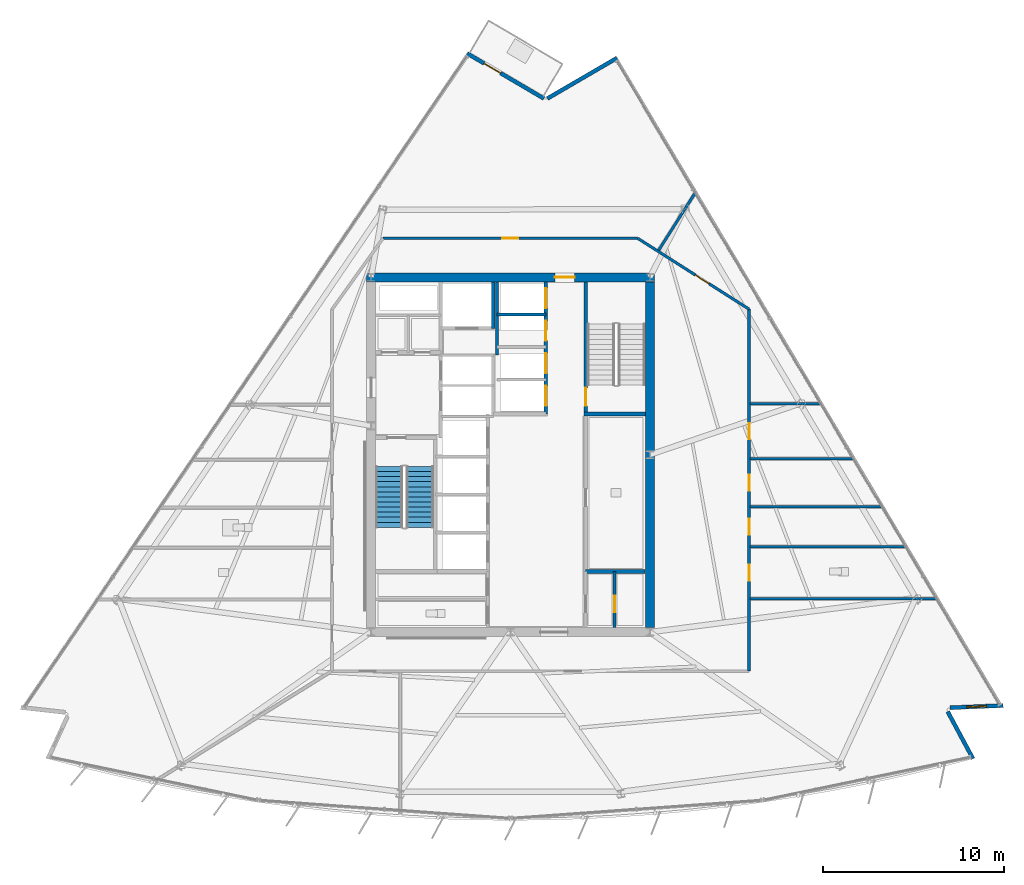
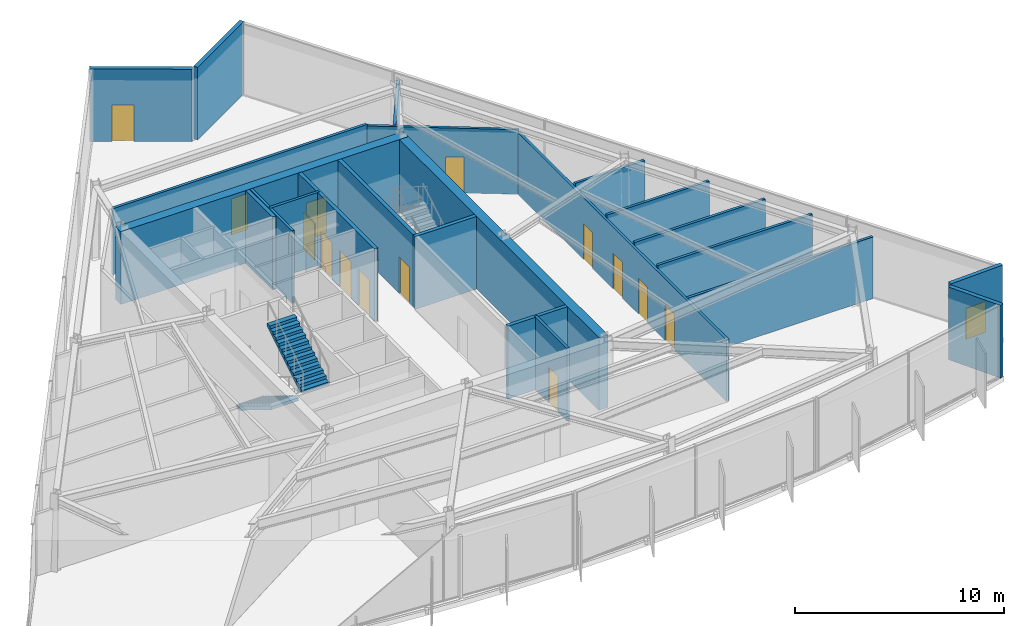
# One storey, part 8 of 14: 23 walls, 14 doors, 2 stair flights, 1 window, 15 openings, 1 element without a shape of its own.
"""IFC4 building model written with IfcOpenShell, lengths in metres."""

import ifcopenshell
import ifcopenshell.guid

model = None  # the IFC model being written
_history = None  # IfcOwnerHistory: only IFC2X3 demands one
_inside = {}  # id of a spatial element -> (the spatial element, [elements in it])
_under = {}  # id of a project, library or spatial element -> (it, [spatial elements below it])
_declared = {}  # id of a project -> (the project, [libraries it declares])
_typed = {}  # id of a type object -> (the type object, [elements of that type])
_made_of = {}  # id of a material, layer set ... -> (it, [elements and type objects made of it])


def new_model(schema):
    """Start an empty IFC model of exactly this schema.

    Asked for "IFC4X3", IfcOpenShell would pick the latest addendum, in which some entities
    have other attributes; the version numbers below select the first issue.
    IFC2X3 requires an IfcOwnerHistory on every rooted entity: one is made here for all.
    """
    global model, _history
    if schema == "IFC4X3":
        model = ifcopenshell.file(schema_version=(4, 3, 0, 0))
    else:
        model = ifcopenshell.file(schema=schema)
    _inside.clear()
    _under.clear()
    _declared.clear()
    _typed.clear()
    _made_of.clear()
    _history = None
    if model.schema == "IFC2X3":
        org = make("IfcOrganization", Name="unknown")
        user = make(
            "IfcPersonAndOrganization",
            ThePerson=make("IfcPerson", FamilyName="unknown"),
            TheOrganization=org,
        )
        app = make(
            "IfcApplication",
            ApplicationDeveloper=org,
            Version="unknown",
            ApplicationFullName="unknown",
            ApplicationIdentifier="unknown",
        )
        _history = make(
            "IfcOwnerHistory",
            OwningUser=user,
            OwningApplication=app,
            ChangeAction="ADDED",
            CreationDate=0,
        )
    return model


def make(cls, **values):
    """One entity of the class cls with the attributes given. An attribute that is None is left unset."""
    return model.create_entity(
        cls, **{name: value for name, value in values.items() if value is not None}
    )


def rooted(cls, **values):
    """An entity with a GlobalId (a new one), such as an element, a storey or a relation."""
    return make(cls, GlobalId=ifcopenshell.guid.new(), OwnerHistory=_history, **values)


def si_unit(unit_type, name, prefix=None):
    """IfcSIUnit, for example si_unit("LENGTHUNIT", "METRE", prefix="MILLI")."""
    return make("IfcSIUnit", UnitType=unit_type, Prefix=prefix, Name=name)


def assignment(units):
    """IfcUnitAssignment: the units of a project."""
    return None if units is None else make("IfcUnitAssignment", Units=units)


def point(xyz):
    """IfcCartesianPoint."""
    return None if xyz is None else make("IfcCartesianPoint", Coordinates=xyz)


def direction(xyz):
    """IfcDirection."""
    return None if xyz is None else make("IfcDirection", DirectionRatios=xyz)


def frame(location, z_axis=None, x_axis=None):
    """IfcAxis2Placement3D, a coordinate frame: its origin and axes. An axis left out is left unset."""
    return make(
        "IfcAxis2Placement3D",
        Location=point(location),
        Axis=direction(z_axis),
        RefDirection=direction(x_axis),
    )


def frame_2d(location, x_axis=None):
    """IfcAxis2Placement2D, a coordinate frame in the plane: its origin and x axis."""
    return make(
        "IfcAxis2Placement2D", Location=point(location), RefDirection=direction(x_axis)
    )


def origin():
    """The frame at (0, 0, 0) with its axes left unset."""
    return frame((0.0, 0.0, 0.0))


def place(relative_to, where):
    """IfcLocalPlacement: puts the frame where relative to a parent placement (None: the world)."""
    return make(
        "IfcLocalPlacement", PlacementRelTo=relative_to, RelativePlacement=where
    )


def context(
    kind, dimensions, precision=None, world=None, true_north=None, identifier=None
):
    """IfcGeometricRepresentationContext, for example the 3D "Model" context."""
    return make(
        "IfcGeometricRepresentationContext",
        ContextIdentifier=identifier,
        ContextType=kind,
        CoordinateSpaceDimension=dimensions,
        Precision=precision,
        WorldCoordinateSystem=world,
        TrueNorth=true_north,
    )


def subcontext(parent, identifier, kind, view, scale=None):
    """IfcGeometricRepresentationSubContext, for example "Body" below "Model"."""
    return make(
        "IfcGeometricRepresentationSubContext",
        ContextIdentifier=identifier,
        ContextType=kind,
        ParentContext=parent,
        TargetScale=scale,
        TargetView=view,
    )


def project(units=None, contexts=None):
    """IfcProject with its units and contexts."""
    return rooted(
        "IfcProject",
        Name="project",
        RepresentationContexts=contexts,
        UnitsInContext=assignment(units),
    )


def spatial(cls, under=None, at=None, **own):
    """A site, building, storey or space (cls), placed at a placement, below another one or the project."""
    s = rooted(cls, ObjectPlacement=at, **own)
    if under is not None:
        _under.setdefault(under.id(), (under, []))[1].append(s)
    return s


def polyline(points):
    """IfcPolyline through the points."""
    return make("IfcPolyline", Points=[point(p) for p in points])


def profile(cls, at=None, kind="AREA", **sizes):
    """A parametric profile (cls). Its sizes go by their IFC names, for example OverallWidth=200.0."""
    return make(cls, ProfileType=kind, Position=at, **sizes)


def rectangle(**sizes):
    """IfcRectangleProfileDef."""
    return profile("IfcRectangleProfileDef", **sizes)


def outline(outer, holes=None, kind="AREA"):
    """IfcArbitraryClosedProfileDef: a profile drawn as a closed curve; with holes, ...WithVoids."""
    if holes is None:
        return make("IfcArbitraryClosedProfileDef", ProfileType=kind, OuterCurve=outer)
    return make(
        "IfcArbitraryProfileDefWithVoids",
        ProfileType=kind,
        OuterCurve=outer,
        InnerCurves=holes,
    )


def extrude(swept, where, along, depth):
    """IfcExtrudedAreaSolid: the profile swept, set in the frame where, extruded along a direction by depth."""
    return make(
        "IfcExtrudedAreaSolid",
        SweptArea=swept,
        Position=where,
        ExtrudedDirection=direction(along),
        Depth=depth,
    )


def shape(context_of_items, identifier, shape_type, items):
    """IfcShapeRepresentation: the items that make up one representation, for example the "Body"."""
    return make(
        "IfcShapeRepresentation",
        ContextOfItems=context_of_items,
        RepresentationIdentifier=identifier,
        RepresentationType=shape_type,
        Items=items,
    )


def material(Name=None, Category=None):
    """IfcMaterial."""
    return make("IfcMaterial", Name=Name, Category=Category)


def layer(
    of_material, thickness, ventilated=None, Name=None, Category=None, Priority=None
):
    """IfcMaterialLayer: one layer of a wall or slab, of a material (None: an air gap)."""
    return make(
        "IfcMaterialLayer",
        Material=of_material,
        LayerThickness=thickness,
        IsVentilated=ventilated,
        Name=Name,
        Category=Category,
        Priority=Priority,
    )


def layer_set(layers, Name=None):
    """IfcMaterialLayerSet."""
    return make("IfcMaterialLayerSet", MaterialLayers=layers, LayerSetName=Name)


def made_of(thing, what):
    """Note that an element or type object is made of a material, layer set ...; save() writes the relation."""
    if what is not None:
        _made_of.setdefault(what.id(), (what, []))[1].append(thing)
    return thing


def type_object(cls, material=None, **own):
    """A type object (cls), such as IfcWallType, which elements share."""
    return made_of(rooted(cls, **own), material)


def element(
    cls,
    number,
    at=None,
    inside=None,
    cuts=None,
    type_object=None,
    material=None,
    context=None,
    identifier="Body",
    shape_type=None,
    held_by="IfcProductDefinitionShape",
    body=None,
    shapes=None,
    **own,
):
    """One element of the class cls, such as IfcWall. Its Tag is "e" and its number.

    at: its placement. inside: the storey or other place that contains it. cuts: it is an
    opening in that element (IfcRelVoidsElement). A single representation is given by context,
    identifier, shape_type and body (its items); several are given by shapes. held_by: the class
    of the entity that holds the representations. save() writes the other relations.
    """
    e = rooted(cls, Tag="e%d" % number, ObjectPlacement=at, **own)
    if body is not None:
        shapes = [shape(context, identifier, shape_type, body)]
    if shapes is not None:
        e.Representation = make(held_by, Representations=shapes)
    if inside is not None:
        _inside.setdefault(inside.id(), (inside, []))[1].append(e)
    if cuts is not None:
        rooted(
            "IfcRelVoidsElement", RelatingBuildingElement=cuts, RelatedOpeningElement=e
        )
    if type_object is not None:
        _typed.setdefault(type_object.id(), (type_object, []))[1].append(e)
    return made_of(e, material)


def fill(opening, filler):
    """IfcRelFillsElement: the door or window that sits in an opening."""
    return rooted(
        "IfcRelFillsElement",
        RelatingOpeningElement=opening,
        RelatedBuildingElement=filler,
    )


def aggregate(whole, parts):
    """IfcRelAggregates: a whole, such as a stair, and the parts it consists of."""
    return rooted("IfcRelAggregates", RelatingObject=whole, RelatedObjects=parts)


def save(model, path):
    """Write the relations noted so far, then the file.

    IfcRelAggregates (storeys below a building ...), IfcRelContainedInSpatialStructure (elements
    in a storey), IfcRelDefinesByType, IfcRelAssociatesMaterial and IfcRelDeclares: one each for
    every whole, place, type object, material and project.
    """
    for whole, parts in _under.values():
        aggregate(whole, parts)
    for where, things in _inside.values():
        rooted(
            "IfcRelContainedInSpatialStructure",
            RelatedElements=things,
            RelatingStructure=where,
        )
    for kind, things in _typed.values():
        rooted("IfcRelDefinesByType", RelatedObjects=things, RelatingType=kind)
    for what, things in _made_of.values():
        rooted("IfcRelAssociatesMaterial", RelatedObjects=things, RelatingMaterial=what)
    for by, libraries in _declared.values():
        rooted("IfcRelDeclares", RelatingContext=by, RelatedDefinitions=libraries)
    model.write(path)


model = new_model("IFC4")

# Units and contexts
model_context = context("Model", 3, precision=1e-05, world=origin(), true_north=direction((0.0, 1.0)))
body_context = subcontext(model_context, "Body", "Model", "MODEL_VIEW")
ifc_project = project(units=[si_unit("LENGTHUNIT", "METRE"), si_unit("AREAUNIT", "SQUARE_METRE"), si_unit("VOLUMEUNIT", "CUBIC_METRE"), si_unit("PLANEANGLEUNIT", "RADIAN"), si_unit("MASSUNIT", "GRAM", prefix="KILO")], contexts=[model_context])

# Site, building, storey
site_placement = place(None, origin())
site = spatial("IfcSite", under=ifc_project, at=site_placement, CompositionType="ELEMENT")
building_placement = place(site_placement, origin())
building = spatial("IfcBuilding", under=site, at=building_placement, Name="Savorim Split Tower", CompositionType="ELEMENT")
storey_placement = place(building_placement, frame((0.0, 0.0, 134.10009765625)))
storey = spatial("IfcBuildingStorey", under=building, at=storey_placement, Name="L35", CompositionType="ELEMENT", Elevation=134.10009765625)

# Wall, opening, door
ifc_material_1 = material(Name="Concrete C60/75", Category="concrete")
ifc_layer_1 = layer(ifc_material_1, 0.5)
ifc_layer_set_1 = layer_set([ifc_layer_1], Name="WAL-COR-SH500")
wall_type_1 = type_object("IfcWallType", Name="WAL-COR-SH500", PredefinedType="SHEAR", material=ifc_layer_set_1)
wall_1_placement = place(storey_placement, frame((7.949951171875, 10.199951171875, 0.0), z_axis=(0.0, 0.0, 1.0), x_axis=(-1.0, 0.0, 0.0)))
wall_1 = element("IfcWall", 1, at=wall_1_placement, inside=storey, type_object=wall_type_1, Name="L35 Offset Core North Shear Wall", PredefinedType="SHEAR", context=body_context, shape_type="SweptSolid", body=[
    extrude(rectangle(XDim=15.89990234375, YDim=0.5, at=frame_2d((7.949951171875, 0.0))), origin(), (0.0, 0.0, 1.0), 4.25),
])
opening_1_placement = place(wall_1_placement, frame((4.39990234375, 0.0, 0.0)))
opening_1 = element("IfcOpeningElement", 2, at=opening_1_placement, cuts=wall_1, Name="Opening DI-03", PredefinedType="OPENING", context=body_context, shape_type="SweptSolid", body=[
    extrude(rectangle(XDim=1.10009765625, YDim=2.14990234375, at=frame_2d((0.550048828125, 1.074951171875))), frame((0.0, 0.260009765625, 0.0), z_axis=(0.0, -1.0, 0.0), x_axis=(1.0, 0.0, 0.0)), (0.0, 0.0, 1.0), 0.52001953125),
])
ifc_material_2 = material(Name="Timber Fire Door Leaf", Category="wood")
door_type_1 = type_object("IfcDoorType", Name="DOR-FIR-1100", OperationType="NOTDEFINED", PredefinedType="DOOR", material=ifc_material_2)
door_1_placement = place(opening_1_placement, origin())
door_1 = element("IfcDoor", 3, at=door_1_placement, inside=storey, type_object=door_type_1, Name="DOR-L35-COR-NLOB - L35 North Corridor Lobby Fire Door", OperationType="SINGLE_SWING_RIGHT", OverallHeight=2.14990234375, OverallWidth=1.10009765625, PredefinedType="DOOR", context=body_context, shape_type="SweptSolid", body=[
    extrude(rectangle(XDim=1.10009765625, YDim=2.14990234375, at=frame_2d((0.550048828125, 1.074951171875))), frame((0.0, 0.02490234375, 0.0), z_axis=(0.0, -1.0, 0.0), x_axis=(1.0, 0.0, 0.0)), (0.0, 0.0, 1.0), 0.050048828125),
])
fill(opening_1, door_1)

# Walls
wall_2_placement = place(storey_placement, frame((7.699951171875, 9.949951171875, 0.0), z_axis=(0.0, 0.0, 1.0), x_axis=(0.0, -1.0, 0.0)))
element("IfcWall", 4, at=wall_2_placement, inside=storey, type_object=wall_type_1, Name="L35 Offset Core East Shear Wall", PredefinedType="SHEAR", context=body_context, shape_type="SweptSolid", body=[
    extrude(rectangle(XDim=19.099853515625, YDim=0.5, at=frame_2d((9.5498046875, 0.0))), origin(), (0.0, 0.0, 1.0), 4.25),
])
ifc_material_3 = material(Name="Precast concrete C40/50", Category="concrete")
ifc_layer_2 = layer(ifc_material_3, 0.219970703125)
ifc_layer_set_2 = layer_set([ifc_layer_2], Name="WAL-EXT-CRN220")
wall_type_2 = type_object("IfcWallType", Name="WAL-EXT-CRN220", PredefinedType="SOLIDWALL", material=ifc_layer_set_2)
wall_3_placement = place(storey_placement, frame((24.15478515625, -13.789794921875, 0.0), z_axis=(0.0, 0.0, 1.0), x_axis=(0.472795751791, -0.881172047383, 0.0)))
element("IfcWall", 5, at=wall_3_placement, inside=storey, type_object=wall_type_2, Name="L35 Notched Corner Facade Wall SE1", PredefinedType="SOLIDWALL", context=body_context, shape_type="SweptSolid", body=[
    extrude(rectangle(XDim=2.948486328125, YDim=0.219970703125, at=frame_2d((1.47412109375, 0.0))), origin(), (0.0, 0.0, 1.0), 4.25),
])

# Wall, opening, window
wall_4_placement = place(storey_placement, frame((27.219482421875, -13.450927734375, 0.0), z_axis=(0.0, 0.0, 1.0), x_axis=(-0.999095615947, -0.042519997593, 0.0)))
wall_4 = element("IfcWall", 6, at=wall_4_placement, inside=storey, type_object=wall_type_2, Name="L35 Notched Corner Facade Wall SE", PredefinedType="SOLIDWALL", context=body_context, shape_type="SweptSolid", body=[
    extrude(rectangle(XDim=2.945556640625, YDim=0.219970703125, at=frame_2d((1.47265625, 0.0))), origin(), (0.0, 0.0, 1.0), 4.25),
])
opening_2_placement = place(wall_4_placement, frame((0.9228515625, 0.0, 0.6201171875)))
opening_2 = element("IfcOpeningElement", 7, at=opening_2_placement, cuts=wall_4, Name="Opening WN-09", PredefinedType="OPENING", context=body_context, shape_type="SweptSolid", body=[
    extrude(rectangle(XDim=1.10009765625, YDim=1.800048828125, at=frame_2d((0.550048828125, 0.89990234375))), frame((0.0, 0.119873046875, 0.0), z_axis=(0.0, -1.0, 0.0), x_axis=(1.0, 0.0, 0.0)), (0.0, 0.0, 1.0), 0.239990234375),
])
ifc_material_4 = material(Name="Low-E Operable Double Glazing", Category="glass")
window_type = type_object("IfcWindowType", Name="WIN-TWR-1100x1800", PartitioningType="SINGLE_PANEL", PredefinedType="WINDOW", material=ifc_material_4)
window_placement = place(opening_2_placement, origin())
window = element("IfcWindow", 8, at=window_placement, inside=storey, type_object=window_type, Name="L35 Operable Corner Window SE", OverallHeight=1.800048828125, OverallWidth=1.10009765625, PartitioningType="SINGLE_PANEL", PredefinedType="WINDOW", context=body_context, shape_type="SweptSolid", body=[
    extrude(rectangle(XDim=1.10009765625, YDim=1.800048828125, at=frame_2d((0.550048828125, 0.89990234375))), frame((0.0, 0.030029296875, 0.0), z_axis=(0.0, -1.0, 0.0), x_axis=(1.0, 0.0, 0.0)), (0.0, 0.0, 1.0), 0.06005859375),
])
fill(opening_2, window)

# Wall
wall_5_placement = place(storey_placement, frame((2.03857421875, 20.079345703125, 0.0), z_axis=(0.0, 0.0, 1.0), x_axis=(0.86398603623, 0.503515768571, 0.0)))
element("IfcWall", 9, at=wall_5_placement, inside=storey, type_object=wall_type_2, Name="L35 Notched Corner Facade Wall NE1", PredefinedType="SOLIDWALL", context=body_context, shape_type="SweptSolid", body=[
    extrude(rectangle(XDim=4.4443359375, YDim=0.219970703125, at=frame_2d((2.22216796875, 0.0))), origin(), (0.0, 0.0, 1.0), 4.25),
])

# Wall, opening, door
wall_6_placement = place(storey_placement, frame((-2.384521484375, 22.5673828125, 0.0), z_axis=(0.0, 0.0, 1.0), x_axis=(0.8621258938, -0.506694131839, 0.0)))
wall_6 = element("IfcWall", 10, at=wall_6_placement, inside=storey, type_object=wall_type_2, Name="L35 Notched Corner Facade Wall N", PredefinedType="SOLIDWALL", context=body_context, shape_type="SweptSolid", body=[
    extrude(rectangle(XDim=4.909912109375, YDim=0.219970703125, at=frame_2d((2.455078125, 0.0))), origin(), (0.0, 0.0, 1.0), 4.25),
])
opening_3_placement = place(wall_6_placement, frame((1.079833984375, 0.0, 0.0)))
opening_3 = element("IfcOpeningElement", 11, at=opening_3_placement, cuts=wall_6, Name="Opening DB-01", PredefinedType="OPENING", context=body_context, shape_type="SweptSolid", body=[
    extrude(rectangle(XDim=1.050048828125, YDim=2.14990234375, at=frame_2d((0.52490234375, 1.074951171875))), frame((0.0, 0.119873046875, 0.0), z_axis=(0.0, -1.0, 0.0), x_axis=(1.0, 0.0, 0.0)), (0.0, 0.0, 1.0), 0.239990234375),
])
ifc_material_5 = material(Name="Charcoal Anodised Aluminium", Category="aluminium")
door_type_2 = type_object("IfcDoorType", Name="DOR-BAL-1050", OperationType="NOTDEFINED", PredefinedType="DOOR", material=ifc_material_5)
door_2_placement = place(opening_3_placement, origin())
door_2 = element("IfcDoor", 12, at=door_2_placement, inside=storey, type_object=door_type_2, Name="DOR-L35-TBAL-N - L35 Planted Tree Balcony Door N", OperationType="SINGLE_SWING_RIGHT", OverallHeight=2.14990234375, OverallWidth=1.050048828125, PredefinedType="DOOR", context=body_context, shape_type="SweptSolid", body=[
    extrude(rectangle(XDim=1.050048828125, YDim=2.14990234375, at=frame_2d((0.52490234375, 1.074951171875))), frame((0.0, 0.02490234375, 0.0), z_axis=(0.0, -1.0, 0.0), x_axis=(1.0, 0.0, 0.0)), (0.0, 0.0, 1.0), 0.050048828125),
])
fill(opening_3, door_2)

ifc_material_6 = material(Name="Concrete C50/60", Category="concrete")
ifc_layer_3 = layer(ifc_material_6, 0.199951171875)
ifc_layer_set_3 = layer_set([ifc_layer_3], Name="WAL-INT-RC200")
wall_type_3 = type_object("IfcWallType", Name="WAL-INT-RC200", PredefinedType="SOLIDWALL", material=ifc_layer_set_3)
wall_7_placement = place(storey_placement, frame((4.14990234375, 2.75, 0.0), z_axis=(0.0, 0.0, 1.0), x_axis=(0.0, 1.0, 0.0)))
wall_7 = element("IfcWall", 13, at=wall_7_placement, inside=storey, type_object=wall_type_3, Name="L35 Structural Shaft Wall W-L35-CR07", PredefinedType="SOLIDWALL", context=body_context, shape_type="SweptSolid", body=[
    extrude(rectangle(XDim=7.199951171875, YDim=0.199951171875, at=frame_2d((3.60009765625, 0.0))), origin(), (0.0, 0.0, 1.0), 4.25),
])
opening_4_placement = place(wall_7_placement, frame((0.35009765625, 0.0, 0.0)))
opening_4 = element("IfcOpeningElement", 14, at=opening_4_placement, cuts=wall_7, Name="Opening DI-04", PredefinedType="OPENING", context=body_context, shape_type="SweptSolid", body=[
    extrude(rectangle(XDim=1.0, YDim=2.14990234375, at=frame_2d((0.5, 1.074951171875))), frame((0.0, 0.10986328125, 0.0), z_axis=(0.0, -1.0, 0.0), x_axis=(1.0, 0.0, 0.0)), (0.0, 0.0, 1.0), 0.219970703125),
])
door_type_3 = type_object("IfcDoorType", Name="DOR-FIR-1000", OperationType="NOTDEFINED", PredefinedType="DOOR", material=ifc_material_2)
door_3_placement = place(opening_4_placement, origin())
door_3 = element("IfcDoor", 15, at=door_3_placement, inside=storey, type_object=door_type_3, Name="DR-L35-ST2 - L35 Stair ST-2 Enclosure Door", OperationType="SINGLE_SWING_RIGHT", OverallHeight=2.14990234375, OverallWidth=1.0, PredefinedType="DOOR", context=body_context, shape_type="SweptSolid", body=[
    extrude(rectangle(XDim=1.0, YDim=2.14990234375, at=frame_2d((0.5, 1.074951171875))), frame((0.0, 0.02490234375, 0.0), z_axis=(0.0, -1.0, 0.0), x_axis=(1.0, 0.0, 0.0)), (0.0, 0.0, 1.0), 0.050048828125),
])
fill(opening_4, door_3)

# Walls
wall_8_placement = place(storey_placement, frame((4.050048828125, 2.64990234375, 0.0), z_axis=(0.0, 0.0, 1.0), x_axis=(1.0, 0.0, 0.0)))
element("IfcWall", 16, at=wall_8_placement, inside=storey, type_object=wall_type_3, Name="L35 Structural Shaft Wall W-L35-CR08", PredefinedType="SOLIDWALL", context=body_context, shape_type="SweptSolid", body=[
    extrude(rectangle(XDim=3.39990234375, YDim=0.199951171875, at=frame_2d((1.699951171875, 0.0))), origin(), (0.0, 0.0, 1.0), 4.25),
])
wall_9_placement = place(storey_placement, frame((-0.949951171875, 7.3798828125, 0.0), z_axis=(0.0, 0.0, 1.0), x_axis=(0.0, 1.0, 0.0)))
element("IfcWall", 17, at=wall_9_placement, inside=storey, type_object=wall_type_3, Name="L35 Partition W-L35-SVLE", PredefinedType="SOLIDWALL", context=body_context, shape_type="SweptSolid", body=[
    extrude(rectangle(XDim=2.565185546875, YDim=0.199951171875, at=frame_2d((1.28271484375, 0.0))), origin(), (0.0, 0.0, 1.0), 4.25),
])

# Wall, openings, doors
wall_10_placement = place(storey_placement, frame((1.949951171875, 2.64990234375, 0.0), z_axis=(0.0, 0.0, 1.0), x_axis=(0.0, 1.0, 0.0)))
wall_10 = element("IfcWall", 18, at=wall_10_placement, inside=storey, type_object=wall_type_3, Name="L35 Partition W-L35-B3FRONT", PredefinedType="SOLIDWALL", context=body_context, shape_type="SweptSolid", body=[
    extrude(rectangle(XDim=7.295166015625, YDim=0.199951171875, at=frame_2d((3.6474609375, 0.0))), origin(), (0.0, 0.0, 1.0), 4.25),
])
opening_5_placement = place(wall_10_placement, frame((0.449951171875, 0.0, 0.0)))
opening_5 = element("IfcOpeningElement", 19, at=opening_5_placement, cuts=wall_10, Name="Opening LD-03", PredefinedType="OPENING", context=body_context, shape_type="SweptSolid", body=[
    extrude(rectangle(XDim=1.10009765625, YDim=2.14990234375, at=frame_2d((0.550048828125, 1.074951171875))), frame((0.0, 0.10986328125, 0.0), z_axis=(0.0, -1.0, 0.0), x_axis=(1.0, 0.0, 0.0)), (0.0, 0.0, 1.0), 0.219970703125),
])
opening_6_placement = place(wall_10_placement, frame((2.25, 0.0, 0.0)))
opening_6 = element("IfcOpeningElement", 20, at=opening_6_placement, cuts=wall_10, Name="Opening LD-03", PredefinedType="OPENING", context=body_context, shape_type="SweptSolid", body=[
    extrude(rectangle(XDim=1.10009765625, YDim=2.14990234375, at=frame_2d((0.550048828125, 1.074951171875))), frame((0.0, 0.10986328125, 0.0), z_axis=(0.0, -1.0, 0.0), x_axis=(1.0, 0.0, 0.0)), (0.0, 0.0, 1.0), 0.219970703125),
])
opening_7_placement = place(wall_10_placement, frame((4.050048828125, 0.0, 0.0)))
opening_7 = element("IfcOpeningElement", 21, at=opening_7_placement, cuts=wall_10, Name="Opening LD-03", PredefinedType="OPENING", context=body_context, shape_type="SweptSolid", body=[
    extrude(rectangle(XDim=1.10009765625, YDim=2.14990234375, at=frame_2d((0.550048828125, 1.074951171875))), frame((0.0, 0.10986328125, 0.0), z_axis=(0.0, -1.0, 0.0), x_axis=(1.0, 0.0, 0.0)), (0.0, 0.0, 1.0), 0.219970703125),
])
opening_8_placement = place(wall_10_placement, frame((5.85009765625, 0.0, 0.0)))
opening_8 = element("IfcOpeningElement", 22, at=opening_8_placement, cuts=wall_10, Name="Opening LD-03", PredefinedType="OPENING", context=body_context, shape_type="SweptSolid", body=[
    extrude(rectangle(XDim=1.10009765625, YDim=2.14990234375, at=frame_2d((0.550048828125, 1.074951171875))), frame((0.0, 0.10986328125, 0.0), z_axis=(0.0, -1.0, 0.0), x_axis=(1.0, 0.0, 0.0)), (0.0, 0.0, 1.0), 0.219970703125),
])
door_type_4 = type_object("IfcDoorType", Name="DOR-SLD-LDH1100", OperationType="NOTDEFINED", PredefinedType="DOOR", material=ifc_material_5)
door_4_placement = place(opening_5_placement, origin())
door_4 = element("IfcDoor", 23, at=door_4_placement, inside=storey, type_object=door_type_4, Name="DR-L35-LD-PLH1 - L35 Lift PL-H1 Sliding Landing Door", OperationType="DOUBLE_DOOR_SLIDING", OverallHeight=2.14990234375, OverallWidth=1.10009765625, PredefinedType="DOOR", context=body_context, shape_type="SweptSolid", body=[
    extrude(rectangle(XDim=1.10009765625, YDim=2.14990234375, at=frame_2d((0.550048828125, 1.074951171875))), frame((0.0, 0.02490234375, 0.0), z_axis=(0.0, -1.0, 0.0), x_axis=(1.0, 0.0, 0.0)), (0.0, 0.0, 1.0), 0.050048828125),
])
fill(opening_5, door_4)
door_5_placement = place(opening_6_placement, origin())
door_5 = element("IfcDoor", 24, at=door_5_placement, inside=storey, type_object=door_type_4, Name="DR-L35-LD-PLH2 - L35 Lift PL-H2 Sliding Landing Door", OperationType="DOUBLE_DOOR_SLIDING", OverallHeight=2.14990234375, OverallWidth=1.10009765625, PredefinedType="DOOR", context=body_context, shape_type="SweptSolid", body=[
    extrude(rectangle(XDim=1.10009765625, YDim=2.14990234375, at=frame_2d((0.550048828125, 1.074951171875))), frame((0.0, 0.02490234375, 0.0), z_axis=(0.0, -1.0, 0.0), x_axis=(1.0, 0.0, 0.0)), (0.0, 0.0, 1.0), 0.050048828125),
])
fill(opening_6, door_5)
door_6_placement = place(opening_7_placement, origin())
door_6 = element("IfcDoor", 25, at=door_6_placement, inside=storey, type_object=door_type_4, Name="DR-L35-LD-PLH3 - L35 Lift PL-H3 Sliding Landing Door", OperationType="DOUBLE_DOOR_SLIDING", OverallHeight=2.14990234375, OverallWidth=1.10009765625, PredefinedType="DOOR", context=body_context, shape_type="SweptSolid", body=[
    extrude(rectangle(XDim=1.10009765625, YDim=2.14990234375, at=frame_2d((0.550048828125, 1.074951171875))), frame((0.0, 0.02490234375, 0.0), z_axis=(0.0, -1.0, 0.0), x_axis=(1.0, 0.0, 0.0)), (0.0, 0.0, 1.0), 0.050048828125),
])
fill(opening_7, door_6)
door_7_placement = place(opening_8_placement, origin())
door_7 = element("IfcDoor", 26, at=door_7_placement, inside=storey, type_object=door_type_4, Name="DR-L35-LD-PLH4 - L35 Lift PL-H4 Sliding Landing Door", OperationType="DOUBLE_DOOR_SLIDING", OverallHeight=2.14990234375, OverallWidth=1.10009765625, PredefinedType="DOOR", context=body_context, shape_type="SweptSolid", body=[
    extrude(rectangle(XDim=1.10009765625, YDim=2.14990234375, at=frame_2d((0.550048828125, 1.074951171875))), frame((0.0, 0.02490234375, 0.0), z_axis=(0.0, -1.0, 0.0), x_axis=(1.0, 0.0, 0.0)), (0.0, 0.0, 1.0), 0.050048828125),
])
fill(opening_8, door_7)

# Walls
wall_11_placement = place(storey_placement, frame((4.14990234375, -6.050048828125, 0.0), z_axis=(0.0, 0.0, 1.0), x_axis=(1.0, 0.0, 0.0)))
element("IfcWall", 27, at=wall_11_placement, inside=storey, type_object=wall_type_3, Name="L35 Partition W-L35-KSEP-E", PredefinedType="SOLIDWALL", context=body_context, shape_type="SweptSolid", body=[
    extrude(rectangle(XDim=3.295166015625, YDim=0.199951171875, at=frame_2d((1.6474609375, 0.0))), origin(), (0.0, 0.0, 1.0), 4.25),
])
ifc_material_7 = material(Name="Acoustic Gypsum Partition Board")
ifc_layer_4 = layer(ifc_material_7, 0.14990234375)
ifc_layer_set_4 = layer_set([ifc_layer_4], Name="WAL-PAR-150")
wall_type_4 = type_object("IfcWallType", Name="WAL-PAR-150", PredefinedType="PARTITIONING", material=ifc_layer_set_4)
wall_12_placement = place(storey_placement, frame((-0.75, 5.919921875, 0.0), z_axis=(0.0, 0.0, 1.0), x_axis=(0.0, 1.0, 0.0)))
element("IfcWall", 28, at=wall_12_placement, inside=storey, type_object=wall_type_4, Name="L35 Partition W-L35-B3WEST", PredefinedType="PARTITIONING", context=body_context, shape_type="SweptSolid", body=[
    extrude(rectangle(XDim=4.025146484375, YDim=0.14990234375, at=frame_2d((2.0126953125, 0.0))), origin(), (0.0, 0.0, 1.0), 4.25),
])
wall_13_placement = place(storey_placement, frame((-0.75, 8.14990234375, 0.0), z_axis=(0.0, 0.0, 1.0), x_axis=(1.0, 0.0, 0.0)))
element("IfcWall", 29, at=wall_13_placement, inside=storey, type_object=wall_type_4, Name="L35 Partition W-L35-B3DIV3", PredefinedType="PARTITIONING", context=body_context, shape_type="SweptSolid", body=[
    extrude(rectangle(XDim=2.699951171875, YDim=0.14990234375, at=frame_2d((1.35009765625, 0.0))), origin(), (0.0, 0.0, 1.0), 4.25),
])

# Wall, opening, door
wall_14_placement = place(storey_placement, frame((5.75, -9.14501953125, 0.0), z_axis=(0.0, 0.0, 1.0), x_axis=(0.0, 1.0, 0.0)))
wall_14 = element("IfcWall", 30, at=wall_14_placement, inside=storey, type_object=wall_type_4, Name="L35 Partition W-L35-K2E", PredefinedType="PARTITIONING", context=body_context, shape_type="SweptSolid", body=[
    extrude(rectangle(XDim=3.094970703125, YDim=0.14990234375, at=frame_2d((1.54736328125, 0.0))), origin(), (0.0, 0.0, 1.0), 4.25),
])
opening_9_placement = place(wall_14_placement, frame((0.844970703125, 0.0, 0.0)))
opening_9 = element("IfcOpeningElement", 31, at=opening_9_placement, cuts=wall_14, Name="Opening DI-06", PredefinedType="OPENING", context=body_context, shape_type="SweptSolid", body=[
    extrude(rectangle(XDim=0.89990234375, YDim=2.10009765625, at=frame_2d((0.449951171875, 1.050048828125))), frame((0.0, 0.0849609375, 0.0), z_axis=(0.0, -1.0, 0.0), x_axis=(1.0, 0.0, 0.0)), (0.0, 0.0, 1.0), 0.169921875),
])
door_type_5 = type_object("IfcDoorType", Name="DOR-FIR-900", OperationType="NOTDEFINED", PredefinedType="DOOR", material=ifc_material_2)
door_8_placement = place(opening_9_placement, origin())
door_8 = element("IfcDoor", 32, at=door_8_placement, inside=storey, type_object=door_type_5, Name="DR-L35-K2REF - L35 Recycling Room Door", OperationType="SINGLE_SWING_RIGHT", OverallHeight=2.10009765625, OverallWidth=0.89990234375, PredefinedType="DOOR", context=body_context, shape_type="SweptSolid", body=[
    extrude(rectangle(XDim=0.89990234375, YDim=2.10009765625, at=frame_2d((0.449951171875, 1.050048828125))), frame((0.0, 0.02490234375, 0.0), z_axis=(0.0, -1.0, 0.0), x_axis=(1.0, 0.0, 0.0)), (0.0, 0.0, 1.0), 0.050048828125),
])
fill(opening_9, door_8)

wall_15_placement = place(storey_placement, frame((-7.041015625, 12.360107421875, 0.0), z_axis=(0.0, 0.0, 1.0), x_axis=(1.0, 0.0, 0.0)))
wall_15 = element("IfcWall", 33, at=wall_15_placement, inside=storey, type_object=wall_type_4, Name="L35 Partition W-L35-COR-03", PredefinedType="PARTITIONING", context=body_context, shape_type="SweptSolid", body=[
    extrude(rectangle(XDim=14.064208984375, YDim=0.14990234375, at=frame_2d((7.0322265625, 0.0))), origin(), (0.0, 0.0, 1.0), 3.864990234375),
])
opening_10_placement = place(wall_15_placement, frame((6.582275390625, 0.0, 0.0)))
opening_10 = element("IfcOpeningElement", 34, at=opening_10_placement, cuts=wall_15, Name="Opening DI-06", PredefinedType="OPENING", context=body_context, shape_type="SweptSolid", body=[
    extrude(rectangle(XDim=0.89990234375, YDim=2.10009765625, at=frame_2d((0.449951171875, 1.050048828125))), frame((0.0, 0.0849609375, 0.0), z_axis=(0.0, -1.0, 0.0), x_axis=(1.0, 0.0, 0.0)), (0.0, 0.0, 1.0), 0.169921875),
])
door_9_placement = place(opening_10_placement, origin())
door_9 = element("IfcDoor", 35, at=door_9_placement, inside=storey, type_object=door_type_5, Name="DR-L35-RM12 - L35 Co-Working Commons Entry Door", OperationType="SINGLE_SWING_LEFT", OverallHeight=2.10009765625, OverallWidth=0.89990234375, PredefinedType="DOOR", context=body_context, shape_type="SweptSolid", body=[
    extrude(rectangle(XDim=0.89990234375, YDim=2.10009765625, at=frame_2d((0.449951171875, 1.050048828125))), frame((0.0, 0.02490234375, 0.0), z_axis=(0.0, -1.0, 0.0), x_axis=(1.0, 0.0, 0.0)), (0.0, 0.0, 1.0), 0.050048828125),
])
fill(opening_10, door_9)

wall_16_placement = place(storey_placement, frame((7.023193359375, 12.360107421875, 0.0), z_axis=(0.0, 0.0, 1.0), x_axis=(0.84376480085, -0.536713108511, 0.0)))
wall_16 = element("IfcWall", 36, at=wall_16_placement, inside=storey, type_object=wall_type_4, Name="L35 Partition W-L35-COR-04", PredefinedType="PARTITIONING", context=body_context, shape_type="SweptSolid", body=[
    extrude(rectangle(XDim=7.296630859375, YDim=0.14990234375, at=frame_2d((3.6484375, 0.0))), origin(), (0.0, 0.0, 1.0), 3.784912109375),
])
opening_11_placement = place(wall_16_placement, frame((3.778076171875, 0.0, 0.0)))
opening_11 = element("IfcOpeningElement", 37, at=opening_11_placement, cuts=wall_16, Name="Opening DI-06", PredefinedType="OPENING", context=body_context, shape_type="SweptSolid", body=[
    extrude(rectangle(XDim=0.89990234375, YDim=2.10009765625, at=frame_2d((0.449951171875, 1.050048828125))), frame((0.0, 0.0849609375, 0.0), z_axis=(0.0, -1.0, 0.0), x_axis=(1.0, 0.0, 0.0)), (0.0, 0.0, 1.0), 0.169921875),
])
door_10_placement = place(opening_11_placement, origin())
door_10 = element("IfcDoor", 38, at=door_10_placement, inside=storey, type_object=door_type_5, Name="DR-L35-RM11 - L35 Co-Working Commons Entry Door", OperationType="SINGLE_SWING_RIGHT", OverallHeight=2.10009765625, OverallWidth=0.89990234375, PredefinedType="DOOR", context=body_context, shape_type="SweptSolid", body=[
    extrude(rectangle(XDim=0.89990234375, YDim=2.10009765625, at=frame_2d((0.449951171875, 1.050048828125))), frame((0.0, 0.02490234375, 0.0), z_axis=(0.0, -1.0, 0.0), x_axis=(1.0, 0.0, 0.0)), (0.0, 0.0, 1.0), 0.050048828125),
])
fill(opening_11, door_10)

# Wall, openings, doors
wall_17_placement = place(storey_placement, frame((13.179931640625, 8.44384765625, 0.0), z_axis=(0.0, 0.0, 1.0), x_axis=(0.0, -1.0, 0.0)))
wall_17 = element("IfcWall", 39, at=wall_17_placement, inside=storey, type_object=wall_type_4, Name="L35 Partition W-L35-COR-05", PredefinedType="PARTITIONING", context=body_context, shape_type="SweptSolid", body=[
    extrude(rectangle(XDim=20.00390625, YDim=0.14990234375, at=frame_2d((10.001953125, 0.0))), origin(), (0.0, 0.0, 1.0), 3.60498046875),
])
opening_12_placement = place(wall_17_placement, frame((14.11279296875, 0.0, 0.0)))
opening_12 = element("IfcOpeningElement", 40, at=opening_12_placement, cuts=wall_17, Name="Opening DI-11", PredefinedType="OPENING", context=body_context, shape_type="SweptSolid", body=[
    extrude(rectangle(XDim=0.89990234375, YDim=2.10009765625, at=frame_2d((0.449951171875, 1.050048828125))), frame((0.0, 0.0849609375, 0.0), z_axis=(0.0, -1.0, 0.0), x_axis=(1.0, 0.0, 0.0)), (0.0, 0.0, 1.0), 0.169921875),
])
opening_13_placement = place(wall_17_placement, frame((11.571533203125, 0.0, 0.0)))
opening_13 = element("IfcOpeningElement", 41, at=opening_13_placement, cuts=wall_17, Name="Opening DI-06", PredefinedType="OPENING", context=body_context, shape_type="SweptSolid", body=[
    extrude(rectangle(XDim=0.89990234375, YDim=2.10009765625, at=frame_2d((0.449951171875, 1.050048828125))), frame((0.0, 0.0849609375, 0.0), z_axis=(0.0, -1.0, 0.0), x_axis=(1.0, 0.0, 0.0)), (0.0, 0.0, 1.0), 0.169921875),
])
opening_14_placement = place(wall_17_placement, frame((9.140380859375, 0.0, 0.0)))
opening_14 = element("IfcOpeningElement", 42, at=opening_14_placement, cuts=wall_17, Name="Opening DI-06", PredefinedType="OPENING", context=body_context, shape_type="SweptSolid", body=[
    extrude(rectangle(XDim=0.89990234375, YDim=2.10009765625, at=frame_2d((0.449951171875, 1.050048828125))), frame((0.0, 0.0849609375, 0.0), z_axis=(0.0, -1.0, 0.0), x_axis=(1.0, 0.0, 0.0)), (0.0, 0.0, 1.0), 0.169921875),
])
opening_15_placement = place(wall_17_placement, frame((6.299072265625, 0.0, 0.0)))
opening_15 = element("IfcOpeningElement", 43, at=opening_15_placement, cuts=wall_17, Name="Opening DI-06", PredefinedType="OPENING", context=body_context, shape_type="SweptSolid", body=[
    extrude(rectangle(XDim=0.89990234375, YDim=2.10009765625, at=frame_2d((0.449951171875, 1.050048828125))), frame((0.0, 0.0849609375, 0.0), z_axis=(0.0, -1.0, 0.0), x_axis=(1.0, 0.0, 0.0)), (0.0, 0.0, 1.0), 0.169921875),
])
door_11_placement = place(opening_13_placement, origin())
door_11 = element("IfcDoor", 44, at=door_11_placement, inside=storey, type_object=door_type_5, Name="DR-L35-RM08 - L35 Quiet Study Room Entry Door", OperationType="SINGLE_SWING_LEFT", OverallHeight=2.10009765625, OverallWidth=0.89990234375, PredefinedType="DOOR", context=body_context, shape_type="SweptSolid", body=[
    extrude(rectangle(XDim=0.89990234375, YDim=2.10009765625, at=frame_2d((0.449951171875, 1.050048828125))), frame((0.0, 0.02490234375, 0.0), z_axis=(0.0, -1.0, 0.0), x_axis=(1.0, 0.0, 0.0)), (0.0, 0.0, 1.0), 0.050048828125),
])
fill(opening_13, door_11)
door_12_placement = place(opening_14_placement, origin())
door_12 = element("IfcDoor", 45, at=door_12_placement, inside=storey, type_object=door_type_5, Name="DR-L35-RM09 - L35 Co-Working Commons Entry Door", OperationType="SINGLE_SWING_RIGHT", OverallHeight=2.10009765625, OverallWidth=0.89990234375, PredefinedType="DOOR", context=body_context, shape_type="SweptSolid", body=[
    extrude(rectangle(XDim=0.89990234375, YDim=2.10009765625, at=frame_2d((0.449951171875, 1.050048828125))), frame((0.0, 0.02490234375, 0.0), z_axis=(0.0, -1.0, 0.0), x_axis=(1.0, 0.0, 0.0)), (0.0, 0.0, 1.0), 0.050048828125),
])
fill(opening_14, door_12)
door_13_placement = place(opening_15_placement, origin())
door_13 = element("IfcDoor", 46, at=door_13_placement, inside=storey, type_object=door_type_5, Name="DR-L35-RM10 - L35 Quiet Study Room Entry Door", OperationType="SINGLE_SWING_LEFT", OverallHeight=2.10009765625, OverallWidth=0.89990234375, PredefinedType="DOOR", context=body_context, shape_type="SweptSolid", body=[
    extrude(rectangle(XDim=0.89990234375, YDim=2.10009765625, at=frame_2d((0.449951171875, 1.050048828125))), frame((0.0, 0.02490234375, 0.0), z_axis=(0.0, -1.0, 0.0), x_axis=(1.0, 0.0, 0.0)), (0.0, 0.0, 1.0), 0.050048828125),
])
fill(opening_15, door_13)
ifc_material_8 = material(Name="Oak Veneer Acoustic Door")
door_type_6 = type_object("IfcDoorType", Name="DOR-WC-900", OperationType="NOTDEFINED", PredefinedType="DOOR", material=ifc_material_8)
door_14_placement = place(opening_12_placement, origin())
door_14 = element("IfcDoor", 47, at=door_14_placement, inside=storey, type_object=door_type_6, Name="DR-L35-RM07 - L35 Accessible WC Entry Door", OperationType="SINGLE_SWING_RIGHT", OverallHeight=2.10009765625, OverallWidth=0.89990234375, PredefinedType="DOOR", context=body_context, shape_type="SweptSolid", body=[
    extrude(rectangle(XDim=0.89990234375, YDim=2.10009765625, at=frame_2d((0.449951171875, 1.050048828125))), frame((0.0, 0.02490234375, 0.0), z_axis=(0.0, -1.0, 0.0), x_axis=(1.0, 0.0, 0.0)), (0.0, 0.0, 1.0), 0.050048828125),
])
fill(opening_12, door_14)

# Walls
wall_18_placement = place(storey_placement, frame((13.239990234375, -7.54931640625, 0.0), z_axis=(0.0, 0.0, 1.0), x_axis=(1.0, 0.0, 0.0)))
element("IfcWall", 48, at=wall_18_placement, inside=storey, type_object=wall_type_4, Name="L35 Partition W-L35-SLR05", PredefinedType="PARTITIONING", context=body_context, shape_type="SweptSolid", body=[
    extrude(rectangle(XDim=10.247314453125, YDim=0.14990234375, at=frame_2d((5.12353515625, 0.0))), origin(), (0.0, 0.0, 1.0), 3.60498046875),
])
wall_19_placement = place(storey_placement, frame((13.239990234375, 3.215576171875, 0.0), z_axis=(0.0, 0.0, 1.0), x_axis=(1.0, 0.0, 0.0)))
element("IfcWall", 49, at=wall_19_placement, inside=storey, type_object=wall_type_4, Name="L35 Partition W-L35-SLR06", PredefinedType="PARTITIONING", context=body_context, shape_type="SweptSolid", body=[
    extrude(rectangle(XDim=3.846435546875, YDim=0.14990234375, at=frame_2d((1.92333984375, 0.0))), origin(), (0.0, 0.0, 1.0), 3.784912109375),
])
wall_20_placement = place(storey_placement, frame((8.18408203125, 11.692626953125, 0.0), z_axis=(0.0, 0.0, 1.0), x_axis=(0.536709805636, 0.843766901777, 0.0)))
element("IfcWall", 50, at=wall_20_placement, inside=storey, type_object=wall_type_4, Name="L35 Partition W-L35-SLR07", PredefinedType="PARTITIONING", context=body_context, shape_type="SweptSolid", body=[
    extrude(rectangle(XDim=3.71875, YDim=0.14990234375, at=frame_2d((1.859375, 0.0))), origin(), (0.0, 0.0, 1.0), 3.784912109375),
])
wall_21_placement = place(storey_placement, frame((13.239990234375, -2.467041015625, 0.0), z_axis=(0.0, 0.0, 1.0), x_axis=(1.0, 0.0, 0.0)))
element("IfcWall", 51, at=wall_21_placement, inside=storey, type_object=wall_type_4, Name="L35 Partition W-L35-SLSUB02", PredefinedType="PARTITIONING", context=body_context, shape_type="SweptSolid", body=[
    extrude(rectangle(XDim=7.225341796875, YDim=0.14990234375, at=frame_2d((3.61279296875, 0.0))), origin(), (0.0, 0.0, 1.0), 3.784912109375),
])
wall_22_placement = place(storey_placement, frame((13.239990234375, -4.688232421875, 0.0), z_axis=(0.0, 0.0, 1.0), x_axis=(1.0, 0.0, 0.0)))
element("IfcWall", 52, at=wall_22_placement, inside=storey, type_object=wall_type_4, Name="L35 Partition W-L35-SLSUB05", PredefinedType="PARTITIONING", context=body_context, shape_type="SweptSolid", body=[
    extrude(rectangle(XDim=8.546142578125, YDim=0.14990234375, at=frame_2d((4.27294921875, 0.0))), origin(), (0.0, 0.0, 1.0), 3.784912109375),
])
wall_23_placement = place(storey_placement, frame((13.239990234375, 0.17431640625, 0.0), z_axis=(0.0, 0.0, 1.0), x_axis=(1.0, 0.0, 0.0)))
element("IfcWall", 53, at=wall_23_placement, inside=storey, type_object=wall_type_4, Name="L35 Partition W-L35-SLSUB06", PredefinedType="PARTITIONING", context=body_context, shape_type="SweptSolid", body=[
    extrude(rectangle(XDim=5.65478515625, YDim=0.14990234375, at=frame_2d((2.827392578125, 0.0))), origin(), (0.0, 0.0, 1.0), 3.784912109375),
])

# Stair, stair flights
stair_type = type_object("IfcStairType", Name="STR-DOG-4500", PredefinedType="HALF_TURN_STAIR", material=ifc_material_6)
stair_placement = place(storey_placement, origin())
stair = element("IfcStair", 54, at=stair_placement, inside=storey, type_object=stair_type, Name="L35 Core Protected Exit Stair ST-1", PredefinedType="HALF_TURN_STAIR")
stair_flight_type = type_object("IfcStairFlightType", Name="SFL-DOG-4500", PredefinedType="STRAIGHT", material=ifc_material_6)
stair_flight_1_placement = place(storey_placement, frame((-6.699951171875, -0.25, 0.0), z_axis=(0.0, 0.0, 1.0), x_axis=(0.0, -1.0, 0.0)))
stair_flight_1 = element("IfcStairFlight", 55, at=stair_flight_1_placement, type_object=stair_flight_type, Name="ST-1 flight 1", NumberOfRisers=13, NumberOfTreads=12, PredefinedType="STRAIGHT", RiserHeight=0.173076923, TreadLength=0.28, context=body_context, shape_type="SweptSolid", body=[
    extrude(outline(polyline([(0.0, 0.0), (0.0, 0.173095703125), (0.280029296875, 0.173095703125), (0.280029296875, 0.34619140625), (0.56005859375, 0.34619140625), (0.56005859375, 0.519287109375), (0.840087890625, 0.519287109375), (0.840087890625, 0.6923828125), (1.1201171875, 0.6923828125), (1.1201171875, 0.865478515625), (1.39990234375, 0.865478515625), (1.39990234375, 1.03857421875), (1.679931640625, 1.03857421875), (1.679931640625, 1.21142578125), (1.9599609375, 1.21142578125), (1.9599609375, 1.384521484375), (2.239990234375, 1.384521484375), (2.239990234375, 1.5576171875), (2.52001953125, 1.5576171875), (2.52001953125, 1.730712890625), (2.800048828125, 1.730712890625), (2.800048828125, 1.90380859375), (3.080078125, 1.90380859375), (3.080078125, 2.076904296875), (3.360107421875, 2.076904296875), (3.360107421875, 2.25), (3.360107421875, 1.900634765625), (0.28515625, 0.0), (0.0, 0.0)])), frame((0.0, 0.75, 0.0), z_axis=(0.0, -1.0, 0.0), x_axis=(1.0, 0.0, 0.0)), (0.0, 0.0, 1.0), 1.5),
])
stair_flight_2_placement = place(storey_placement, frame((-5.0, -3.610107421875, 2.25), z_axis=(0.0, 0.0, 1.0), x_axis=(0.0, 1.0, 0.0)))
stair_flight_2 = element("IfcStairFlight", 56, at=stair_flight_2_placement, type_object=stair_flight_type, Name="ST-1 flight 2", NumberOfRisers=13, NumberOfTreads=12, PredefinedType="STRAIGHT", RiserHeight=0.173076923, TreadLength=0.28, context=body_context, shape_type="SweptSolid", body=[
    extrude(outline(polyline([(0.0, 0.0), (0.0, 0.173095703125), (0.280029296875, 0.173095703125), (0.280029296875, 0.34619140625), (0.56005859375, 0.34619140625), (0.56005859375, 0.519287109375), (0.840087890625, 0.519287109375), (0.840087890625, 0.6923828125), (1.1201171875, 0.6923828125), (1.1201171875, 0.865478515625), (1.39990234375, 0.865478515625), (1.39990234375, 1.03857421875), (1.679931640625, 1.03857421875), (1.679931640625, 1.21142578125), (1.9599609375, 1.21142578125), (1.9599609375, 1.384521484375), (2.239990234375, 1.384521484375), (2.239990234375, 1.5576171875), (2.52001953125, 1.5576171875), (2.52001953125, 1.730712890625), (2.800048828125, 1.730712890625), (2.800048828125, 1.90380859375), (3.080078125, 1.90380859375), (3.080078125, 2.076904296875), (3.360107421875, 2.076904296875), (3.360107421875, 2.25), (3.360107421875, 1.900634765625), (0.28515625, 0.0), (0.0, 0.0)])), frame((0.0, 0.75, 0.0), z_axis=(0.0, -1.0, 0.0), x_axis=(1.0, 0.0, 0.0)), (0.0, 0.0, 1.0), 1.5),
])
aggregate(stair, [stair_flight_1, stair_flight_2])

save(model, "model.ifc")
